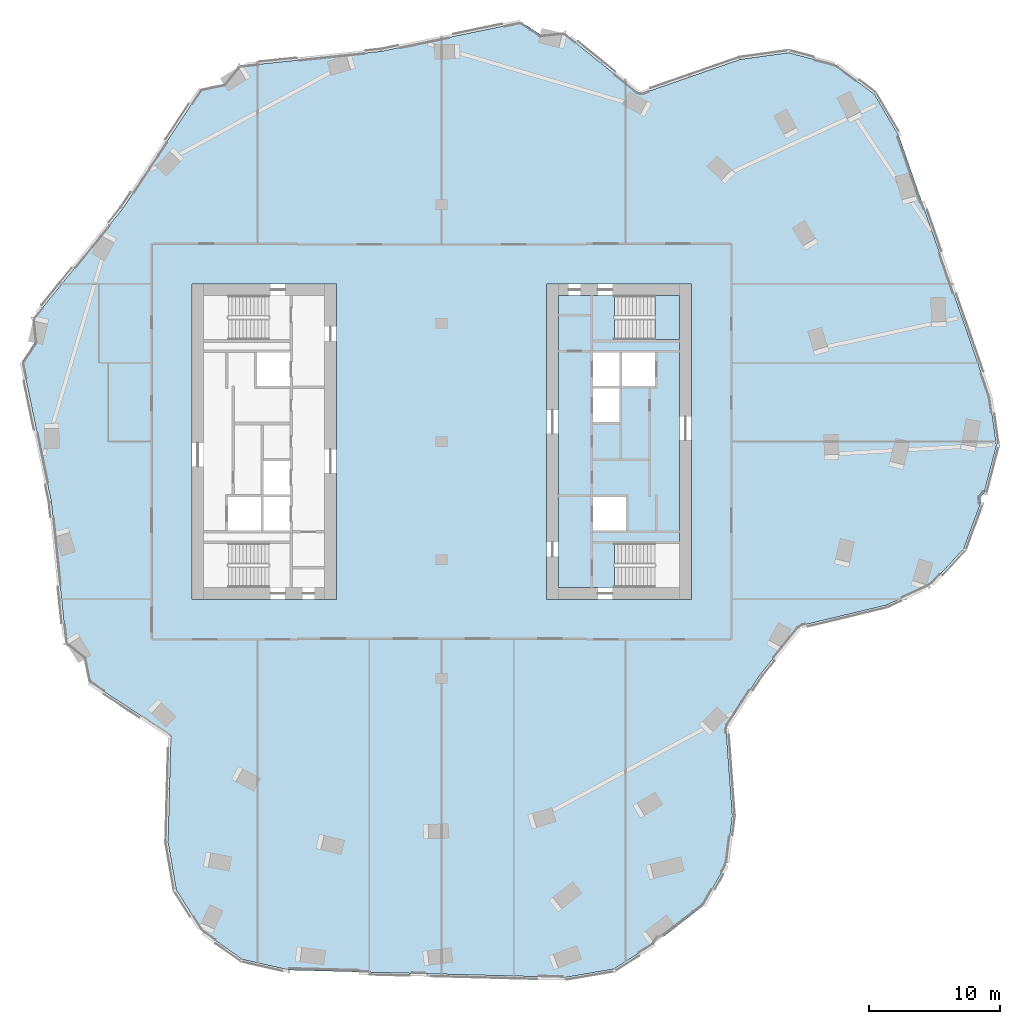
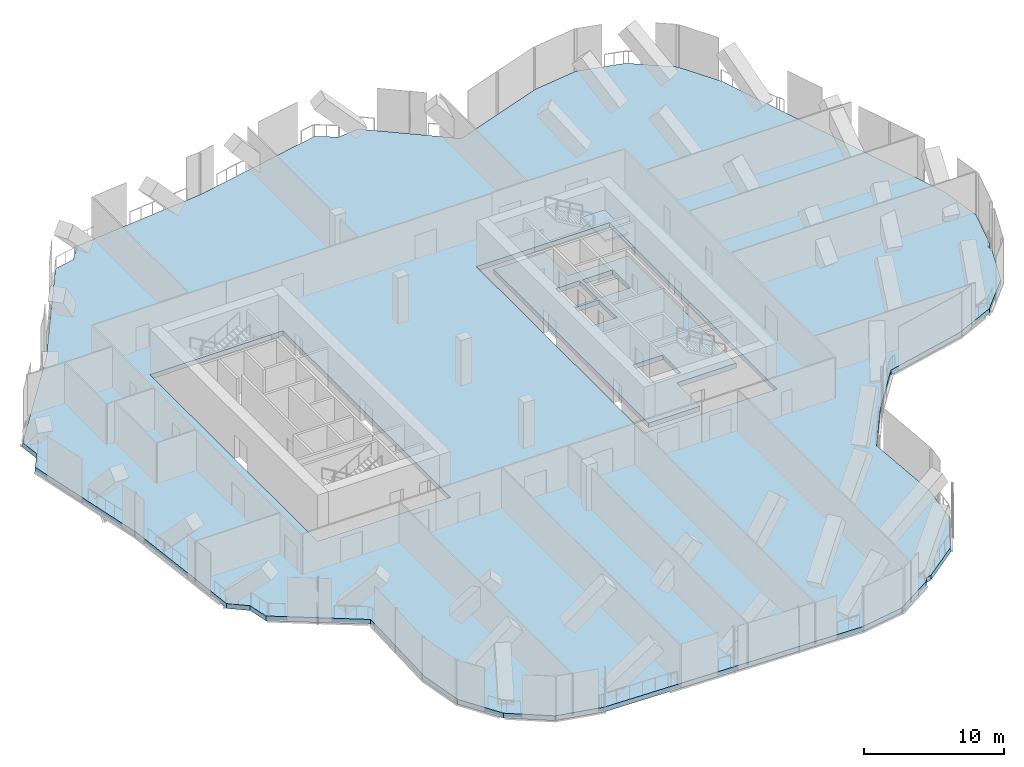
# One storey, part 17 of 26: 3 slabs, 1 element without a shape of its own.
"""IFC4 building model written with IfcOpenShell, lengths in metres."""

import ifcopenshell
import ifcopenshell.guid

model = None  # the IFC model being written
_history = None  # IfcOwnerHistory: only IFC2X3 demands one
_inside = {}  # id of a spatial element -> (the spatial element, [elements in it])
_under = {}  # id of a project, library or spatial element -> (it, [spatial elements below it])
_declared = {}  # id of a project -> (the project, [libraries it declares])
_typed = {}  # id of a type object -> (the type object, [elements of that type])
_made_of = {}  # id of a material, layer set ... -> (it, [elements and type objects made of it])


def new_model(schema):
    """Start an empty IFC model of exactly this schema.

    Asked for "IFC4X3", IfcOpenShell would pick the latest addendum, in which some entities
    have other attributes; the version numbers below select the first issue.
    IFC2X3 requires an IfcOwnerHistory on every rooted entity: one is made here for all.
    """
    global model, _history
    if schema == "IFC4X3":
        model = ifcopenshell.file(schema_version=(4, 3, 0, 0))
    else:
        model = ifcopenshell.file(schema=schema)
    _inside.clear()
    _under.clear()
    _declared.clear()
    _typed.clear()
    _made_of.clear()
    _history = None
    if model.schema == "IFC2X3":
        org = make("IfcOrganization", Name="unknown")
        user = make(
            "IfcPersonAndOrganization",
            ThePerson=make("IfcPerson", FamilyName="unknown"),
            TheOrganization=org,
        )
        app = make(
            "IfcApplication",
            ApplicationDeveloper=org,
            Version="unknown",
            ApplicationFullName="unknown",
            ApplicationIdentifier="unknown",
        )
        _history = make(
            "IfcOwnerHistory",
            OwningUser=user,
            OwningApplication=app,
            ChangeAction="ADDED",
            CreationDate=0,
        )
    return model


def make(cls, **values):
    """One entity of the class cls with the attributes given. An attribute that is None is left unset."""
    return model.create_entity(
        cls, **{name: value for name, value in values.items() if value is not None}
    )


def rooted(cls, **values):
    """An entity with a GlobalId (a new one), such as an element, a storey or a relation."""
    return make(cls, GlobalId=ifcopenshell.guid.new(), OwnerHistory=_history, **values)


def si_unit(unit_type, name, prefix=None):
    """IfcSIUnit, for example si_unit("LENGTHUNIT", "METRE", prefix="MILLI")."""
    return make("IfcSIUnit", UnitType=unit_type, Prefix=prefix, Name=name)


def assignment(units):
    """IfcUnitAssignment: the units of a project."""
    return None if units is None else make("IfcUnitAssignment", Units=units)


def point(xyz):
    """IfcCartesianPoint."""
    return None if xyz is None else make("IfcCartesianPoint", Coordinates=xyz)


def direction(xyz):
    """IfcDirection."""
    return None if xyz is None else make("IfcDirection", DirectionRatios=xyz)


def frame(location, z_axis=None, x_axis=None):
    """IfcAxis2Placement3D, a coordinate frame: its origin and axes. An axis left out is left unset."""
    return make(
        "IfcAxis2Placement3D",
        Location=point(location),
        Axis=direction(z_axis),
        RefDirection=direction(x_axis),
    )


def origin():
    """The frame at (0, 0, 0) with its axes left unset."""
    return frame((0.0, 0.0, 0.0))


def place(relative_to, where):
    """IfcLocalPlacement: puts the frame where relative to a parent placement (None: the world)."""
    return make(
        "IfcLocalPlacement", PlacementRelTo=relative_to, RelativePlacement=where
    )


def context(
    kind, dimensions, precision=None, world=None, true_north=None, identifier=None
):
    """IfcGeometricRepresentationContext, for example the 3D "Model" context."""
    return make(
        "IfcGeometricRepresentationContext",
        ContextIdentifier=identifier,
        ContextType=kind,
        CoordinateSpaceDimension=dimensions,
        Precision=precision,
        WorldCoordinateSystem=world,
        TrueNorth=true_north,
    )


def subcontext(parent, identifier, kind, view, scale=None):
    """IfcGeometricRepresentationSubContext, for example "Body" below "Model"."""
    return make(
        "IfcGeometricRepresentationSubContext",
        ContextIdentifier=identifier,
        ContextType=kind,
        ParentContext=parent,
        TargetScale=scale,
        TargetView=view,
    )


def project(units=None, contexts=None):
    """IfcProject with its units and contexts."""
    return rooted(
        "IfcProject",
        Name="project",
        RepresentationContexts=contexts,
        UnitsInContext=assignment(units),
    )


def spatial(cls, under=None, at=None, **own):
    """A site, building, storey or space (cls), placed at a placement, below another one or the project."""
    s = rooted(cls, ObjectPlacement=at, **own)
    if under is not None:
        _under.setdefault(under.id(), (under, []))[1].append(s)
    return s


def polyline(points):
    """IfcPolyline through the points."""
    return make("IfcPolyline", Points=[point(p) for p in points])


def outline(outer, holes=None, kind="AREA"):
    """IfcArbitraryClosedProfileDef: a profile drawn as a closed curve; with holes, ...WithVoids."""
    if holes is None:
        return make("IfcArbitraryClosedProfileDef", ProfileType=kind, OuterCurve=outer)
    return make(
        "IfcArbitraryProfileDefWithVoids",
        ProfileType=kind,
        OuterCurve=outer,
        InnerCurves=holes,
    )


def extrude(swept, where, along, depth):
    """IfcExtrudedAreaSolid: the profile swept, set in the frame where, extruded along a direction by depth."""
    return make(
        "IfcExtrudedAreaSolid",
        SweptArea=swept,
        Position=where,
        ExtrudedDirection=direction(along),
        Depth=depth,
    )


def shape(context_of_items, identifier, shape_type, items):
    """IfcShapeRepresentation: the items that make up one representation, for example the "Body"."""
    return make(
        "IfcShapeRepresentation",
        ContextOfItems=context_of_items,
        RepresentationIdentifier=identifier,
        RepresentationType=shape_type,
        Items=items,
    )


def material(Name=None, Category=None):
    """IfcMaterial."""
    return make("IfcMaterial", Name=Name, Category=Category)


def layer(
    of_material, thickness, ventilated=None, Name=None, Category=None, Priority=None
):
    """IfcMaterialLayer: one layer of a wall or slab, of a material (None: an air gap)."""
    return make(
        "IfcMaterialLayer",
        Material=of_material,
        LayerThickness=thickness,
        IsVentilated=ventilated,
        Name=Name,
        Category=Category,
        Priority=Priority,
    )


def layer_set(layers, Name=None):
    """IfcMaterialLayerSet."""
    return make("IfcMaterialLayerSet", MaterialLayers=layers, LayerSetName=Name)


def made_of(thing, what):
    """Note that an element or type object is made of a material, layer set ...; save() writes the relation."""
    if what is not None:
        _made_of.setdefault(what.id(), (what, []))[1].append(thing)
    return thing


def type_object(cls, material=None, **own):
    """A type object (cls), such as IfcWallType, which elements share."""
    return made_of(rooted(cls, **own), material)


def element(
    cls,
    number,
    at=None,
    inside=None,
    cuts=None,
    type_object=None,
    material=None,
    context=None,
    identifier="Body",
    shape_type=None,
    held_by="IfcProductDefinitionShape",
    body=None,
    shapes=None,
    **own,
):
    """One element of the class cls, such as IfcWall. Its Tag is "e" and its number.

    at: its placement. inside: the storey or other place that contains it. cuts: it is an
    opening in that element (IfcRelVoidsElement). A single representation is given by context,
    identifier, shape_type and body (its items); several are given by shapes. held_by: the class
    of the entity that holds the representations. save() writes the other relations.
    """
    e = rooted(cls, Tag="e%d" % number, ObjectPlacement=at, **own)
    if body is not None:
        shapes = [shape(context, identifier, shape_type, body)]
    if shapes is not None:
        e.Representation = make(held_by, Representations=shapes)
    if inside is not None:
        _inside.setdefault(inside.id(), (inside, []))[1].append(e)
    if cuts is not None:
        rooted(
            "IfcRelVoidsElement", RelatingBuildingElement=cuts, RelatedOpeningElement=e
        )
    if type_object is not None:
        _typed.setdefault(type_object.id(), (type_object, []))[1].append(e)
    return made_of(e, material)


def aggregate(whole, parts):
    """IfcRelAggregates: a whole, such as a stair, and the parts it consists of."""
    return rooted("IfcRelAggregates", RelatingObject=whole, RelatedObjects=parts)


def save(model, path):
    """Write the relations noted so far, then the file.

    IfcRelAggregates (storeys below a building ...), IfcRelContainedInSpatialStructure (elements
    in a storey), IfcRelDefinesByType, IfcRelAssociatesMaterial and IfcRelDeclares: one each for
    every whole, place, type object, material and project.
    """
    for whole, parts in _under.values():
        aggregate(whole, parts)
    for where, things in _inside.values():
        rooted(
            "IfcRelContainedInSpatialStructure",
            RelatedElements=things,
            RelatingStructure=where,
        )
    for kind, things in _typed.values():
        rooted("IfcRelDefinesByType", RelatedObjects=things, RelatingType=kind)
    for what, things in _made_of.values():
        rooted("IfcRelAssociatesMaterial", RelatedObjects=things, RelatingMaterial=what)
    for by, libraries in _declared.values():
        rooted("IfcRelDeclares", RelatingContext=by, RelatedDefinitions=libraries)
    model.write(path)


model = new_model("IFC4")

# Units and contexts
model_context = context("Model", 3, precision=1e-05, world=origin(), true_north=direction((0.0, 1.0)))
body_context = subcontext(model_context, "Body", "Model", "MODEL_VIEW")
ifc_project = project(units=[si_unit("LENGTHUNIT", "METRE"), si_unit("AREAUNIT", "SQUARE_METRE"), si_unit("VOLUMEUNIT", "CUBIC_METRE"), si_unit("PLANEANGLEUNIT", "RADIAN"), si_unit("MASSUNIT", "GRAM", prefix="KILO")], contexts=[model_context])

# Site, building, storey
site_placement = place(None, origin())
site = spatial("IfcSite", under=ifc_project, at=site_placement, CompositionType="ELEMENT")
building_placement = place(site_placement, origin())
building = spatial("IfcBuilding", under=site, at=building_placement, Name="Orlundy Tower", CompositionType="ELEMENT")
storey_placement = place(building_placement, frame((0.0, 0.0, 228.0)))
storey = spatial("IfcBuildingStorey", under=building, at=storey_placement, Name="L60", CompositionType="ELEMENT", Elevation=228.0)

# Slab
ifc_material_1 = material(Name="Concrete C50/60", Category="concrete")
ifc_layer_1 = layer(ifc_material_1, 0.419921875)
ifc_layer_set_1 = layer_set([ifc_layer_1], Name="Core Floor Slab 420")
slab_type_1 = type_object("IfcSlabType", Name="Core Floor Slab 420", PredefinedType="FLOOR", material=ifc_layer_set_1)
slab_1_placement = place(storey_placement, frame((0.0, 0.0, -0.419921875)))
element("IfcSlab", 1, at=slab_1_placement, inside=storey, type_object=slab_type_1, Name="Core floor E46", PredefinedType="FLOOR", context=body_context, shape_type="SweptSolid", body=[
    extrude(outline(polyline([(18.10009765625, -7.75), (13.14501953125, -7.75), (13.14501953125, -11.10009765625), (8.89990234375, -11.10009765625), (8.89990234375, 11.10009765625), (13.14501953125, 11.10009765625), (13.14501953125, 7.75), (18.10009765625, 7.75), (18.10009765625, -7.75)]), holes=[polyline([(13.5400390625, 4.22509765625), (13.5400390625, 6.77490234375), (11.5400390625, 6.77490234375), (11.5400390625, 4.22509765625), (13.5400390625, 4.22509765625)]), polyline([(13.739990234375, 4.22509765625), (16.239990234375, 4.22509765625), (16.239990234375, 6.77490234375), (13.739990234375, 6.77490234375), (13.739990234375, 4.22509765625)]), polyline([(11.5400390625, 4.02490234375), (11.5400390625, 1.47509765625), (13.5400390625, 1.47509765625), (13.5400390625, 4.02490234375), (11.5400390625, 4.02490234375)]), polyline([(14.0400390625, -4.22509765625), (11.5400390625, -4.22509765625), (11.5400390625, -6.77490234375), (14.0400390625, -6.77490234375), (14.0400390625, -4.22509765625)])]), origin(), (0.0, 0.0, 1.0), 0.419921875),
])

# Stair, slab
ifc_material_2 = material(Name="Concrete C50/60", Category="concrete")
stair_type = type_object("IfcStairType", Name="Exit Stair 24 risers", PredefinedType="HALF_TURN_STAIR", material=ifc_material_2)
stair_placement = place(storey_placement, origin())
stair = element("IfcStair", 2, at=stair_placement, inside=storey, type_object=stair_type, Name="L60 Exit Stair ST-E2", PredefinedType="HALF_TURN_STAIR")
ifc_material_3 = material(Name="Concrete C50/60", Category="concrete")
ifc_layer_2 = layer(ifc_material_3, 0.199951171875)
ifc_layer_set_2 = layer_set([ifc_layer_2], Name="Exit Stair Landing")
slab_type_2 = type_object("IfcSlabType", Name="Exit Stair Landing", PredefinedType="LANDING", material=ifc_layer_set_2)
slab_2_placement = place(storey_placement, frame((0.0, 0.0, 1.800048828125)))
slab_2 = element("IfcSlab", 3, at=slab_2_placement, type_object=slab_type_2, Name="ST-E2 landing 1", PredefinedType="LANDING", context=body_context, shape_type="SweptSolid", body=[
    extrude(outline(polyline([(16.219970703125, 7.75), (18.10009765625, 7.75), (18.10009765625, 11.10009765625), (16.219970703125, 11.10009765625), (16.219970703125, 7.75)])), origin(), (0.0, 0.0, 1.0), 0.199951171875),
])
aggregate(stair, [slab_2])

# Slab
ifc_material_4 = material(Name="Concrete C45/55", Category="concrete")
ifc_layer_3 = layer(ifc_material_4, 0.419921875)
ifc_layer_set_3 = layer_set([ifc_layer_3], Name="TRANSFER FLOOR SLAB 420 C45/55")
slab_type_3 = type_object("IfcSlabType", Name="TRANSFER FLOOR SLAB 420 C45/55", PredefinedType="FLOOR", material=ifc_layer_set_3)
slab_3_placement = place(storey_placement, frame((0.0, 0.0, -0.419921875)))
element("IfcSlab", 4, at=slab_3_placement, inside=storey, type_object=slab_type_3, Name="Floor slab L60", PredefinedType="FLOOR", context=body_context, shape_type="SweptSolid", body=[
    extrude(outline(polyline([(-26.866943359375, -18.236083984375), (-27.2119140625, -16.56689453125), (-28.537109375, -15.493896484375), (-29.680908203125, -4.60693359375), (-31.89306640625, 6.10302734375), (-30.95703125, 7.52587890625), (-31.135009765625, 9.221923828125), (-24.2470703125, 17.72802734375), (-18.236083984375, 26.866943359375), (-16.56689453125, 27.2119140625), (-15.493896484375, 28.537109375), (-4.60693359375, 29.680908203125), (6.10302734375, 31.89306640625), (7.527099609375, 30.95703125), (9.221923828125, 31.135009765625), (15.05908203125, 26.407958984375), (22.715087890625, 29.069091796875), (26.386962890625, 29.580078125), (29.97412109375, 28.64599609375), (32.930908203125, 26.410888671875), (34.80810546875, 23.215087890625), (41.701904296875, 3.37890625), (42.212890625, -0.29296875), (41.280029296875, -3.8798828125), (40.988037109375, -4.26611328125), (41.0048828125, -4.693115234375), (39.721923828125, -8.169921875), (37.2060546875, -10.89208984375), (33.840087890625, -12.444091796875), (27.242919921875, -14.028076171875), (24.2490234375, -17.72509765625), (21.634033203125, -21.700927734375), (22.126953125, -28.468017578125), (21.669921875, -32.14599609375), (19.840087890625, -35.368896484375), (16.916015625, -37.64697265625), (16.501953125, -37.760986328125), (16.22412109375, -38.155029296875), (13.089111328125, -40.133056640625), (9.43603515625, -40.760986328125), (-11.556884765625, -40.2109375), (-15.172119140625, -39.39306640625), (-18.198974609375, -37.25390625), (-20.177001953125, -34.118896484375), (-20.804931640625, -30.466064453125), (-20.592041015625, -22.363037109375), (-26.866943359375, -18.236083984375)]), holes=[polyline([(-8.0, -12.0), (-8.0, 12.0), (-19.0, 12.0), (-19.0, -12.0), (-8.0, -12.0)]), polyline([(19.0, -12.0), (19.0, 12.0), (8.0, 12.0), (8.0, -12.0), (19.0, -12.0)])]), origin(), (0.0, 0.0, 1.0), 0.419921875),
])

save(model, "model.ifc")
